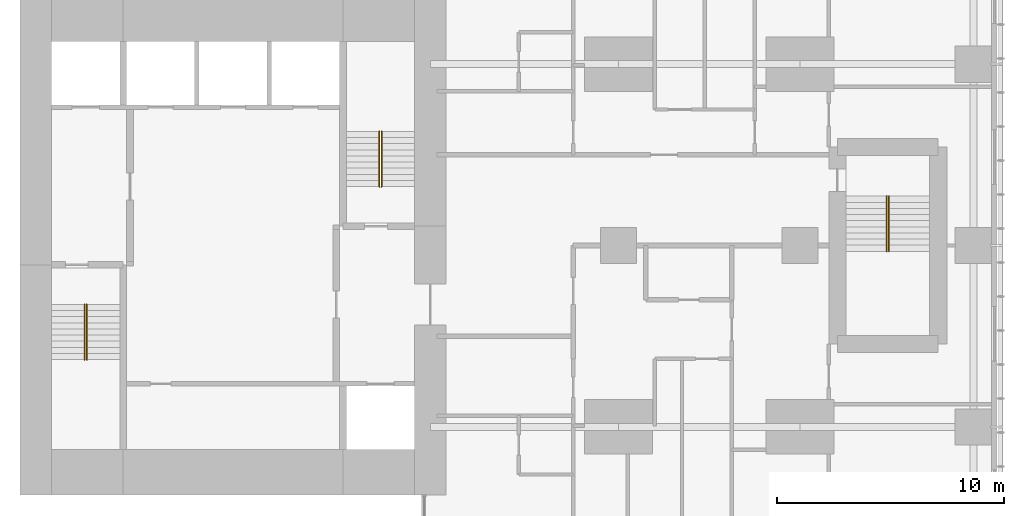
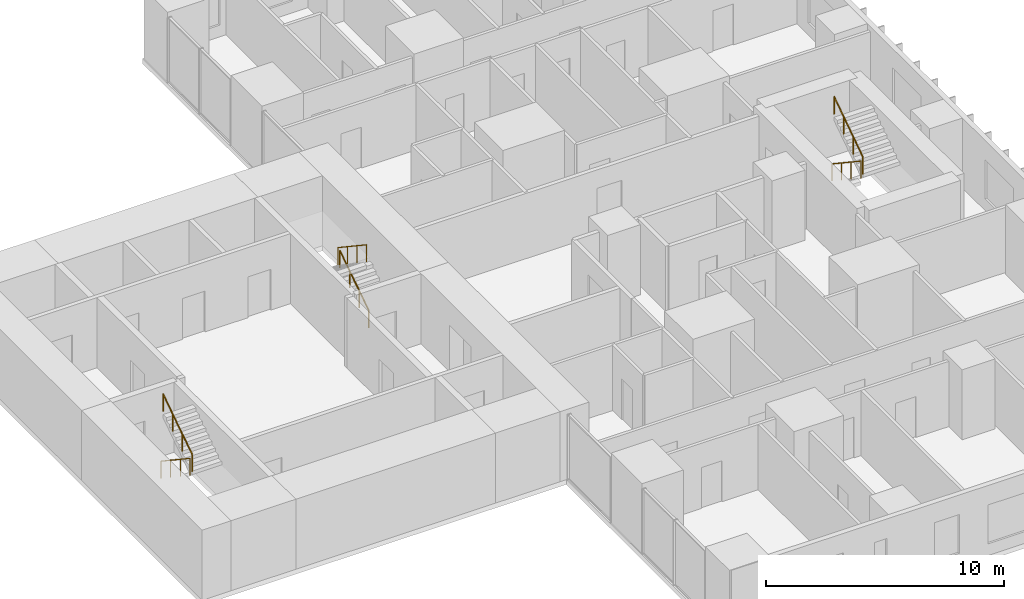
# One storey, part 12 of 12: 6 railings.
"""IFC4 building model written with IfcOpenShell, lengths in metres."""

from ifc_helpers import new_model, si_unit, direction, frame, origin, origin_2d, place, context, subcontext, project, spatial, circle, extrude, material, type_object, element, save


model = new_model("IFC4")

# Units and contexts
model_context = context("Model", 3, precision=1e-05, world=origin(), true_north=direction((0.0, 1.0)))
body_context = subcontext(model_context, "Body", "Model", "MODEL_VIEW")
ifc_project = project(units=[si_unit("LENGTHUNIT", "METRE"), si_unit("AREAUNIT", "SQUARE_METRE"), si_unit("VOLUMEUNIT", "CUBIC_METRE"), si_unit("PLANEANGLEUNIT", "RADIAN"), si_unit("MASSUNIT", "GRAM", prefix="KILO")], contexts=[model_context])

# Site, building, storey
site_placement = place(None, origin())
site = spatial("IfcSite", under=ifc_project, at=site_placement, CompositionType="ELEMENT")
building_placement = place(site_placement, origin())
building = spatial("IfcBuilding", under=site, at=building_placement, Name="Cleftline Residences", CompositionType="ELEMENT")
storey_placement = place(building_placement, frame((0.0, 0.0, 244.800048828125)))
storey = spatial("IfcBuildingStorey", under=building, at=storey_placement, Name="L64", CompositionType="ELEMENT", Elevation=244.800048828125)

# Railings
ifc_material = material(Name="Stainless steel", Category="steel")
railing_type = type_object("IfcRailingType", Name="HANDRAIL 900", PredefinedType="HANDRAIL", material=ifc_material)
railing_1_placement = place(storey_placement, frame((26.449951171875, 21.39990234375, 0.179931640625)))
element("IfcRailing", 1, at=railing_1_placement, inside=storey, type_object=railing_type, Name="Stair handrail", PredefinedType="HANDRAIL", context=body_context, shape_type="SweptSolid", body=[
    extrude(circle(Radius=0.02392578125, at=origin_2d()), frame((0.0, 0.0, 0.8759765625), z_axis=(0.0, -0.832024571796, 0.554738778101), x_axis=(1.0, 0.0, 0.0)), (0.0, 0.0, 1.0), 2.92041015625),
    extrude(circle(Radius=0.02099609375, at=origin_2d()), origin(), (0.0, 0.0, 1.0), 0.851806640625),
    extrude(circle(Radius=0.02099609375, at=origin_2d()), frame((0.0, -0.81005859375, 0.5400390625)), (0.0, 0.0, 1.0), 0.851806640625),
    extrude(circle(Radius=0.02099609375, at=origin_2d()), frame((0.0, -1.619873046875, 1.080078125)), (0.0, 0.0, 1.0), 0.851806640625),
    extrude(circle(Radius=0.02099609375, at=origin_2d()), frame((0.0, -2.429931640625, 1.6201171875)), (0.0, 0.0, 1.0), 0.851806640625),
])
railing_2_placement = place(storey_placement, frame((26.550048828125, 18.969970703125, 1.97998046875)))
element("IfcRailing", 2, at=railing_2_placement, inside=storey, type_object=railing_type, Name="Stair handrail", PredefinedType="HANDRAIL", context=body_context, shape_type="SweptSolid", body=[
    extrude(circle(Radius=0.02392578125, at=origin_2d()), frame((0.0, 0.0, 0.8759765625), z_axis=(0.0, 0.832063155534, 0.554680903946), x_axis=(-1.0, 0.0, 0.0)), (0.0, 0.0, 1.0), 2.92041015625),
    extrude(circle(Radius=0.02099609375, at=origin_2d()), origin(), (0.0, 0.0, 1.0), 0.851806640625),
    extrude(circle(Radius=0.02099609375, at=origin_2d()), frame((0.0, 0.81005859375, 0.5400390625)), (0.0, 0.0, 1.0), 0.851806640625),
    extrude(circle(Radius=0.02099609375, at=origin_2d()), frame((0.0, 1.619873046875, 1.079833984375)), (0.0, 0.0, 1.0), 0.851806640625),
    extrude(circle(Radius=0.02099609375, at=origin_2d()), frame((0.0, 2.429931640625, 1.619873046875)), (0.0, 0.0, 1.0), 0.851806640625),
])
railing_3_placement = place(storey_placement, frame((39.550048828125, 26.60009765625, 0.179931640625)))
element("IfcRailing", 3, at=railing_3_placement, inside=storey, type_object=railing_type, Name="Stair handrail", PredefinedType="HANDRAIL", context=body_context, shape_type="SweptSolid", body=[
    extrude(circle(Radius=0.02392578125, at=origin_2d()), frame((0.0, 0.0, 0.8759765625), z_axis=(0.0, 0.832024571796, 0.554738778101), x_axis=(-1.0, 0.0, 0.0)), (0.0, 0.0, 1.0), 2.92041015625),
    extrude(circle(Radius=0.02099609375, at=origin_2d()), origin(), (0.0, 0.0, 1.0), 0.851806640625),
    extrude(circle(Radius=0.02099609375, at=origin_2d()), frame((0.0, 0.81005859375, 0.5400390625)), (0.0, 0.0, 1.0), 0.851806640625),
    extrude(circle(Radius=0.02099609375, at=origin_2d()), frame((0.0, 1.619873046875, 1.080078125)), (0.0, 0.0, 1.0), 0.851806640625),
    extrude(circle(Radius=0.02099609375, at=origin_2d()), frame((0.0, 2.429931640625, 1.6201171875)), (0.0, 0.0, 1.0), 0.851806640625),
])
railing_4_placement = place(storey_placement, frame((39.449951171875, 29.030029296875, 1.97998046875)))
element("IfcRailing", 4, at=railing_4_placement, inside=storey, type_object=railing_type, Name="Stair handrail", PredefinedType="HANDRAIL", context=body_context, shape_type="SweptSolid", body=[
    extrude(circle(Radius=0.02392578125, at=origin_2d()), frame((0.0, 0.0, 0.8759765625), z_axis=(0.0, -0.832063155534, 0.554680903946), x_axis=(1.0, 0.0, 0.0)), (0.0, 0.0, 1.0), 2.92041015625),
    extrude(circle(Radius=0.02099609375, at=origin_2d()), origin(), (0.0, 0.0, 1.0), 0.851806640625),
    extrude(circle(Radius=0.02099609375, at=origin_2d()), frame((0.0, -0.81005859375, 0.5400390625)), (0.0, 0.0, 1.0), 0.851806640625),
    extrude(circle(Radius=0.02099609375, at=origin_2d()), frame((0.0, -1.619873046875, 1.079833984375)), (0.0, 0.0, 1.0), 0.851806640625),
    extrude(circle(Radius=0.02099609375, at=origin_2d()), frame((0.0, -2.429931640625, 1.619873046875)), (0.0, 0.0, 1.0), 0.851806640625),
])
railing_5_placement = place(storey_placement, frame((61.824951171875, 26.175048828125, 0.179931640625)))
element("IfcRailing", 5, at=railing_5_placement, inside=storey, type_object=railing_type, Name="Stair handrail", PredefinedType="HANDRAIL", context=body_context, shape_type="SweptSolid", body=[
    extrude(circle(Radius=0.02392578125, at=origin_2d()), frame((0.0, 0.0, 0.8759765625), z_axis=(0.0, -0.832024571796, 0.554738778101), x_axis=(1.0, 0.0, 0.0)), (0.0, 0.0, 1.0), 2.92041015625),
    extrude(circle(Radius=0.02099609375, at=origin_2d()), origin(), (0.0, 0.0, 1.0), 0.851806640625),
    extrude(circle(Radius=0.02099609375, at=origin_2d()), frame((0.0, -0.81005859375, 0.5400390625)), (0.0, 0.0, 1.0), 0.851806640625),
    extrude(circle(Radius=0.02099609375, at=origin_2d()), frame((0.0, -1.619873046875, 1.080078125)), (0.0, 0.0, 1.0), 0.851806640625),
    extrude(circle(Radius=0.02099609375, at=origin_2d()), frame((0.0, -2.429931640625, 1.6201171875)), (0.0, 0.0, 1.0), 0.851806640625),
])
railing_6_placement = place(storey_placement, frame((61.925048828125, 23.7451171875, 1.97998046875)))
element("IfcRailing", 6, at=railing_6_placement, inside=storey, type_object=railing_type, Name="Stair handrail", PredefinedType="HANDRAIL", context=body_context, shape_type="SweptSolid", body=[
    extrude(circle(Radius=0.02392578125, at=origin_2d()), frame((0.0, 0.0, 0.8759765625), z_axis=(0.0, 0.832063155534, 0.554680903946), x_axis=(-1.0, 0.0, 0.0)), (0.0, 0.0, 1.0), 2.92041015625),
    extrude(circle(Radius=0.02099609375, at=origin_2d()), origin(), (0.0, 0.0, 1.0), 0.851806640625),
    extrude(circle(Radius=0.02099609375, at=origin_2d()), frame((0.0, 0.81005859375, 0.5400390625)), (0.0, 0.0, 1.0), 0.851806640625),
    extrude(circle(Radius=0.02099609375, at=origin_2d()), frame((0.0, 1.619873046875, 1.079833984375)), (0.0, 0.0, 1.0), 0.851806640625),
    extrude(circle(Radius=0.02099609375, at=origin_2d()), frame((0.0, 2.429931640625, 1.619873046875)), (0.0, 0.0, 1.0), 0.851806640625),
])

save(model, "model.ifc")
